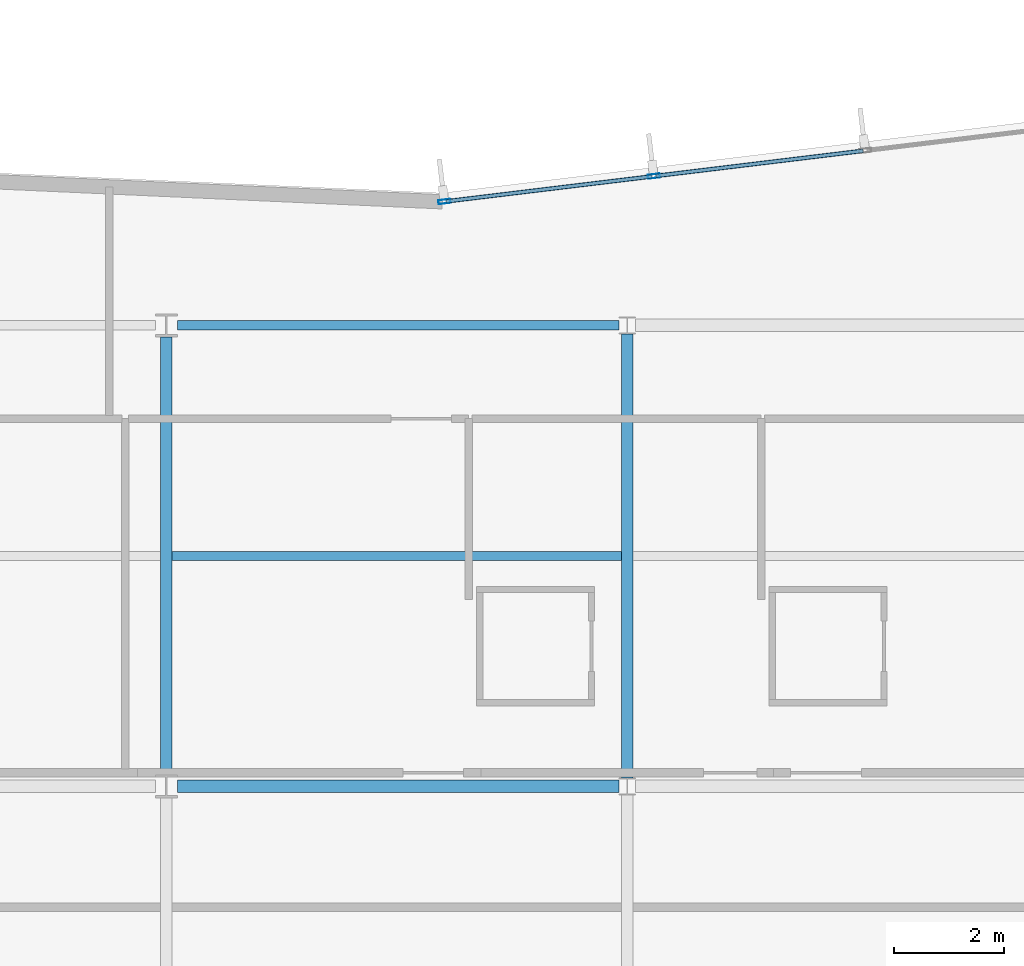
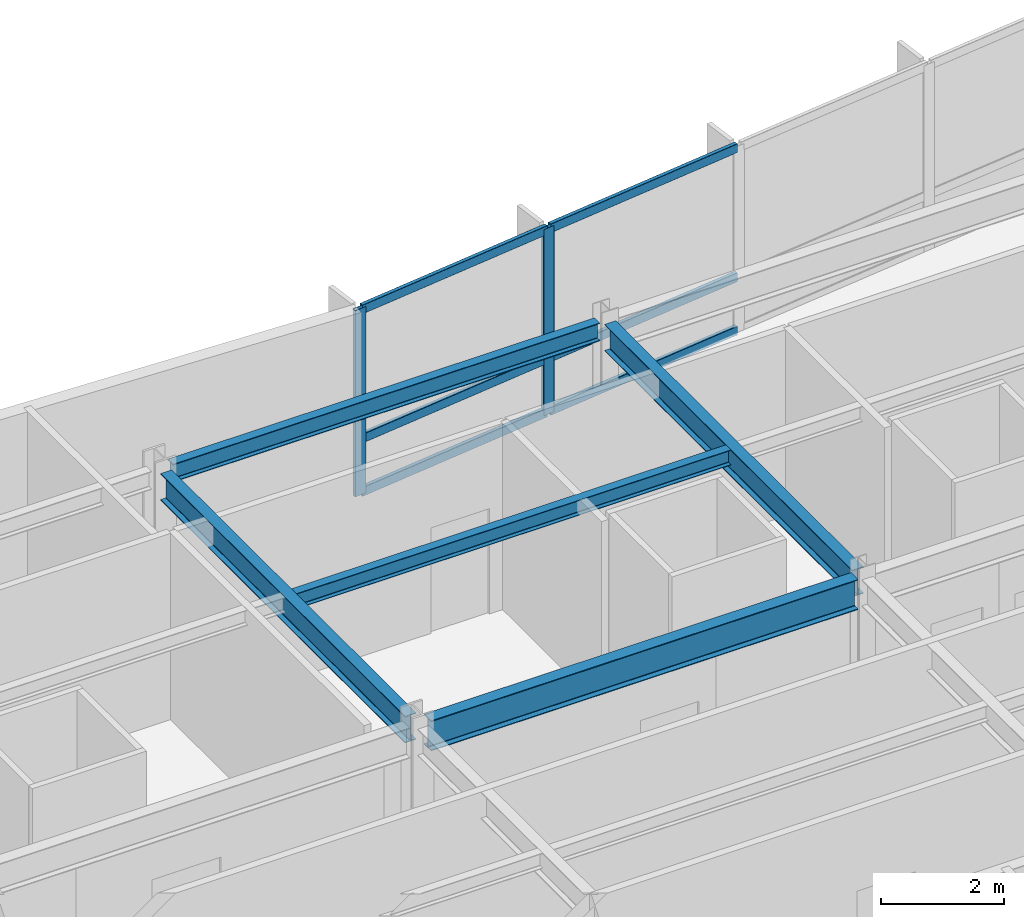
# One storey, part 6 of 18: 8 members, 5 beams, 1 element without a shape of its own.
"""IFC4 building model written with IfcOpenShell, lengths in metres."""

from ifc_helpers import new_model, si_unit, direction, frame, origin, origin_2d, place, context, subcontext, project, spatial, hollow_rectangle, i_section, extrude, material, layer, layer_set, material_profile, profile_set, type_object, element, aggregate, save


model = new_model("IFC4")

# Units and contexts
model_context = context("Model", 3, precision=1e-05, world=origin(), true_north=direction((0.0, 1.0)))
body_context = subcontext(model_context, "Body", "Model", "MODEL_VIEW")
ifc_project = project(units=[si_unit("LENGTHUNIT", "METRE"), si_unit("AREAUNIT", "SQUARE_METRE"), si_unit("VOLUMEUNIT", "CUBIC_METRE"), si_unit("PLANEANGLEUNIT", "RADIAN"), si_unit("MASSUNIT", "GRAM", prefix="KILO")], contexts=[model_context])

# Site, building, storey
site_placement = place(None, origin())
site = spatial("IfcSite", under=ifc_project, at=site_placement, CompositionType="ELEMENT")
building_placement = place(site_placement, origin())
building = spatial("IfcBuilding", under=site, at=building_placement, Name="Varnakote Quay Hospital", CompositionType="ELEMENT")
storey_placement = place(building_placement, frame((0.0, 0.0, 142.85009765625)))
storey = spatial("IfcBuildingStorey", under=building, at=storey_placement, Name="L35", CompositionType="ELEMENT", Elevation=142.85009765625)

# Beams
ifc_material_1 = material(Name="Structural steel AS/NZS 3679.1 Grade 350 L0 (fy 340 MPa)", Category="steel")
ifc_material_profile_1 = material_profile(ifc_material_1, i_section(OverallWidth=0.208984375, OverallDepth=0.532958984375, WebThickness=0.01025390625, FlangeThickness=0.015625, FilletRadius=0.013916015625, at=origin_2d()), Name="530UB92.4")
ifc_profile_set_1 = profile_set([ifc_material_profile_1], Name="Structural steel AS/NZS 3679.1 Grade 350 L0 (fy 340 MPa)")
beam_type_1 = type_object("IfcBeamType", Name="BM-STL-530UB92-4", PredefinedType="BEAM", material=ifc_profile_set_1)
beam_1_placement = place(storey_placement, frame((33.60009765625, 20.610107421875, 3.443359375), z_axis=(0.0, 1.0, 0.0), x_axis=(-1.0, 0.0, 0.0)))
element("IfcBeam", 1, at=beam_1_placement, inside=storey, type_object=beam_type_1, Name="L35 Primary Tie Beam", PredefinedType="BEAM", context=body_context, shape_type="SweptSolid", body=[
    extrude(i_section(OverallWidth=0.208984375, OverallDepth=0.532958984375, WebThickness=0.01025390625, FlangeThickness=0.015625, FilletRadius=0.013916015625, at=origin_2d()), origin(), (0.0, 0.0, 1.0), 7.97998046875),
])
beam_2_placement = place(storey_placement, frame((42.0, 20.5576171875, 3.443359375), z_axis=(0.0, 1.0, 0.0), x_axis=(-1.0, 0.0, 0.0)))
element("IfcBeam", 2, at=beam_2_placement, inside=storey, type_object=beam_type_1, Name="L35 Primary Tie Beam", PredefinedType="BEAM", context=body_context, shape_type="SweptSolid", body=[
    extrude(i_section(OverallWidth=0.208984375, OverallDepth=0.532958984375, WebThickness=0.01025390625, FlangeThickness=0.015625, FilletRadius=0.013916015625, at=origin_2d()), origin(), (0.0, 0.0, 1.0), 8.0849609375),
])
ifc_material_2 = material(Name="Structural steel AS/NZS 3679.1 Grade 350 L0 (fy 340 MPa)", Category="steel")
ifc_material_profile_2 = material_profile(ifc_material_2, i_section(OverallWidth=0.22802734375, OverallDepth=0.60205078125, WebThickness=0.010498046875, FlangeThickness=0.014892578125, FilletRadius=0.013916015625, at=origin_2d()), Name="610UB101")
ifc_profile_set_2 = profile_set([ifc_material_profile_2], Name="Structural steel AS/NZS 3679.1 Grade 350 L0 (fy 340 MPa)")
beam_type_2 = type_object("IfcBeamType", Name="BM-STL-610UB101", PredefinedType="BEAM", material=ifc_profile_set_2)
beam_3_placement = place(storey_placement, frame((33.800048828125, 20.39990234375, 3.408935546875), z_axis=(1.0, 0.0, 0.0), x_axis=(0.0, 1.0, 0.0)))
element("IfcBeam", 3, at=beam_3_placement, inside=storey, type_object=beam_type_2, Name="L35 Primary Floor Beam", PredefinedType="BEAM", context=body_context, shape_type="SweptSolid", body=[
    extrude(i_section(OverallWidth=0.22802734375, OverallDepth=0.60205078125, WebThickness=0.010498046875, FlangeThickness=0.014892578125, FilletRadius=0.013916015625, at=origin_2d()), origin(), (0.0, 0.0, 1.0), 8.04638671875),
])

# Curtain wall, members
ifc_material_3 = material(Name="Anodised aluminium 6063-T6 Bronze", Category="aluminium")
ifc_layer = layer(ifc_material_3, 0.205078125)
ifc_layer_set = layer_set([ifc_layer], Name="Anodised aluminium 6063-T6 Bronze")
curtain_wall_type = type_object("IfcCurtainWallType", Name="CW-SYS-3", PredefinedType="NOTDEFINED", material=ifc_layer_set)
curtain_wall_placement = place(storey_placement, origin())
curtain_wall = element("IfcCurtainWall", 4, at=curtain_wall_placement, inside=storey, type_object=curtain_wall_type, Name="L35 Unitised Bronze Curtain Wall 2", PredefinedType="NOTDEFINED")
ifc_material_4 = material(Name="Anodised aluminium 6063-T6 Bronze", Category="aluminium")
ifc_material_profile_3 = material_profile(ifc_material_4, hollow_rectangle(XDim=0.074951171875, YDim=0.219970703125, WallThickness=0.00439453125, InnerFilletRadius=0.00439453125, OuterFilletRadius=0.009033203125, at=origin_2d()), Name="CW-MULL-220x75")
ifc_profile_set_3 = profile_set([ifc_material_profile_3], Name="Anodised aluminium 6063-T6 Bronze")
member_type_1 = type_object("IfcMemberType", Name="CW-MULL-220x75", PredefinedType="MULLION", material=ifc_profile_set_3)
member_1_placement = place(storey_placement, frame((42.482666015625, 31.5185546875, 0.0), z_axis=(0.0, 0.0, 1.0), x_axis=(0.12032713492, -0.992734295067, 0.0)))
member_1 = element("IfcMember", 5, at=member_1_placement, type_object=member_type_1, Name="-3-L35-2 mullion 4", PredefinedType="MULLION", context=body_context, shape_type="SweptSolid", body=[
    extrude(hollow_rectangle(XDim=0.074951171875, YDim=0.219970703125, WallThickness=0.00439453125, InnerFilletRadius=0.00439453125, OuterFilletRadius=0.009033203125, at=origin_2d()), origin(), (0.0, 0.0, 1.0), 3.7099609375),
])
member_2_placement = place(storey_placement, frame((38.667236328125, 31.05615234375, 0.0), z_axis=(0.0, 0.0, 1.0), x_axis=(0.12032713492, -0.992734295067, 0.0)))
member_2 = element("IfcMember", 6, at=member_2_placement, type_object=member_type_1, Name="-3-L35-2 mullion 5", PredefinedType="MULLION", context=body_context, shape_type="SweptSolid", body=[
    extrude(hollow_rectangle(XDim=0.074951171875, YDim=0.219970703125, WallThickness=0.00439453125, InnerFilletRadius=0.00439453125, OuterFilletRadius=0.009033203125, at=origin_2d()), origin(), (0.0, 0.0, 1.0), 3.7099609375),
])
ifc_material_5 = material(Name="Anodised aluminium 6063-T6 Bronze", Category="aluminium")
ifc_material_profile_4 = material_profile(ifc_material_5, hollow_rectangle(XDim=0.074951171875, YDim=0.179931640625, WallThickness=0.004150390625, InnerFilletRadius=0.004150390625, OuterFilletRadius=0.00830078125, at=origin_2d()), Name="CW-TRAN-180x75")
ifc_profile_set_4 = profile_set([ifc_material_profile_4], Name="Anodised aluminium 6063-T6 Bronze")
member_type_2 = type_object("IfcMemberType", Name="CW-TRAN-180x75", PredefinedType="USERDEFINED", material=ifc_profile_set_4)
member_3_placement = place(storey_placement, frame((46.2978515625, 31.98095703125, 0.037353515625), z_axis=(-0.992731924158, -0.120346694005, 0.0), x_axis=(0.120346694005, -0.992731924158, 0.0)))
member_3 = element("IfcMember", 7, at=member_3_placement, type_object=member_type_2, Name="-3-L35-2 transom 3.1", ObjectType="TRANSOM", PredefinedType="USERDEFINED", context=body_context, shape_type="SweptSolid", body=[
    extrude(hollow_rectangle(XDim=0.074951171875, YDim=0.179931640625, WallThickness=0.004150390625, InnerFilletRadius=0.004150390625, OuterFilletRadius=0.00830078125, at=origin_2d()), origin(), (0.0, 0.0, 1.0), 3.8056640625),
])
member_4_placement = place(storey_placement, frame((46.2978515625, 31.98095703125, 1.099853515625), z_axis=(-0.992731924158, -0.120346694005, 0.0), x_axis=(0.120346694005, -0.992731924158, 0.0)))
member_4 = element("IfcMember", 8, at=member_4_placement, type_object=member_type_2, Name="-3-L35-2 transom 3.2", ObjectType="TRANSOM", PredefinedType="USERDEFINED", context=body_context, shape_type="SweptSolid", body=[
    extrude(hollow_rectangle(XDim=0.074951171875, YDim=0.179931640625, WallThickness=0.004150390625, InnerFilletRadius=0.004150390625, OuterFilletRadius=0.00830078125, at=origin_2d()), origin(), (0.0, 0.0, 1.0), 3.8056640625),
])
member_5_placement = place(storey_placement, frame((46.2978515625, 31.98095703125, 3.67236328125), z_axis=(-0.992731924158, -0.120346694005, 0.0), x_axis=(0.120346694005, -0.992731924158, 0.0)))
member_5 = element("IfcMember", 9, at=member_5_placement, type_object=member_type_2, Name="-3-L35-2 transom 3.3", ObjectType="TRANSOM", PredefinedType="USERDEFINED", context=body_context, shape_type="SweptSolid", body=[
    extrude(hollow_rectangle(XDim=0.074951171875, YDim=0.179931640625, WallThickness=0.004150390625, InnerFilletRadius=0.004150390625, OuterFilletRadius=0.00830078125, at=origin_2d()), origin(), (0.0, 0.0, 1.0), 3.8056640625),
])
member_6_placement = place(storey_placement, frame((42.4453125, 31.513916015625, 0.037353515625), z_axis=(-0.992735423717, -0.120317822859, 0.0), x_axis=(0.120317822859, -0.992735423717, 0.0)))
member_6 = element("IfcMember", 10, at=member_6_placement, type_object=member_type_2, Name="-3-L35-2 transom 4.1", ObjectType="TRANSOM", PredefinedType="USERDEFINED", context=body_context, shape_type="SweptSolid", body=[
    extrude(hollow_rectangle(XDim=0.074951171875, YDim=0.179931640625, WallThickness=0.004150390625, InnerFilletRadius=0.004150390625, OuterFilletRadius=0.00830078125, at=origin_2d()), origin(), (0.0, 0.0, 1.0), 3.76806640625),
])
member_7_placement = place(storey_placement, frame((42.4453125, 31.513916015625, 1.099853515625), z_axis=(-0.992735423717, -0.120317822859, 0.0), x_axis=(0.120317822859, -0.992735423717, 0.0)))
member_7 = element("IfcMember", 11, at=member_7_placement, type_object=member_type_2, Name="-3-L35-2 transom 4.2", ObjectType="TRANSOM", PredefinedType="USERDEFINED", context=body_context, shape_type="SweptSolid", body=[
    extrude(hollow_rectangle(XDim=0.074951171875, YDim=0.179931640625, WallThickness=0.004150390625, InnerFilletRadius=0.004150390625, OuterFilletRadius=0.00830078125, at=origin_2d()), origin(), (0.0, 0.0, 1.0), 3.76806640625),
])
member_8_placement = place(storey_placement, frame((42.4453125, 31.513916015625, 3.67236328125), z_axis=(-0.992735423717, -0.120317822859, 0.0), x_axis=(0.120317822859, -0.992735423717, 0.0)))
member_8 = element("IfcMember", 12, at=member_8_placement, type_object=member_type_2, Name="-3-L35-2 transom 4.3", ObjectType="TRANSOM", PredefinedType="USERDEFINED", context=body_context, shape_type="SweptSolid", body=[
    extrude(hollow_rectangle(XDim=0.074951171875, YDim=0.179931640625, WallThickness=0.004150390625, InnerFilletRadius=0.004150390625, OuterFilletRadius=0.00830078125, at=origin_2d()), origin(), (0.0, 0.0, 1.0), 3.76806640625),
])
aggregate(curtain_wall, [member_1, member_2, member_3, member_4, member_5, member_6, member_7, member_8])

# Beams
ifc_material_6 = material(Name="Structural steel AS/NZS 3679.1 Grade 350 L0 (fy 340 MPa)", Category="steel")
ifc_material_profile_5 = material_profile(ifc_material_6, i_section(OverallWidth=0.1650390625, OverallDepth=0.303955078125, WebThickness=0.006103515625, FlangeThickness=0.01025390625, FilletRadius=0.011474609375, at=origin_2d()), Name="310UB40.4")
ifc_profile_set_5 = profile_set([ifc_material_profile_5], Name="Structural steel AS/NZS 3679.1 Grade 350 L0 (fy 340 MPa)")
beam_type_3 = type_object("IfcBeamType", Name="JST-STL-310UB40-4", PredefinedType="JOIST", material=ifc_profile_set_5)
beam_4_placement = place(storey_placement, frame((33.70458984375, 24.60009765625, 3.557861328125), z_axis=(1.0, 0.0, 0.0), x_axis=(0.0, 1.0, 0.0)))
element("IfcBeam", 13, at=beam_4_placement, inside=storey, type_object=beam_type_3, Name="L35 Composite Floor Joist", PredefinedType="JOIST", context=body_context, shape_type="SweptSolid", body=[
    extrude(i_section(OverallWidth=0.1650390625, OverallDepth=0.303955078125, WebThickness=0.006103515625, FlangeThickness=0.01025390625, FilletRadius=0.011474609375, at=origin_2d()), origin(), (0.0, 0.0, 1.0), 8.19091796875),
])
ifc_material_7 = material(Name="Structural steel AS/NZS 3679.1 Grade 350 L0 (fy 340 MPa)", Category="steel")
ifc_material_profile_6 = material_profile(ifc_material_7, i_section(OverallWidth=0.172119140625, OverallDepth=0.35888671875, WebThickness=0.008056640625, FlangeThickness=0.012939453125, FilletRadius=0.011474609375, at=origin_2d()), Name="360UB56.7")
ifc_profile_set_6 = profile_set([ifc_material_profile_6], Name="Structural steel AS/NZS 3679.1 Grade 350 L0 (fy 340 MPa)")
beam_type_4 = type_object("IfcBeamType", Name="SPN-STL-360UB56-7", PredefinedType="SPANDREL", material=ifc_profile_set_6)
beam_5_placement = place(storey_placement, frame((33.800048828125, 28.800048828125, 3.530517578125), z_axis=(1.0, 0.0, 0.0), x_axis=(0.0, 1.0, 0.0)))
element("IfcBeam", 14, at=beam_5_placement, inside=storey, type_object=beam_type_4, Name="L35 Perimeter Spandrel Beam", PredefinedType="SPANDREL", context=body_context, shape_type="SweptSolid", body=[
    extrude(i_section(OverallWidth=0.172119140625, OverallDepth=0.35888671875, WebThickness=0.008056640625, FlangeThickness=0.012939453125, FilletRadius=0.011474609375, at=origin_2d()), origin(), (0.0, 0.0, 1.0), 8.04638671875),
])

save(model, "model.ifc")
